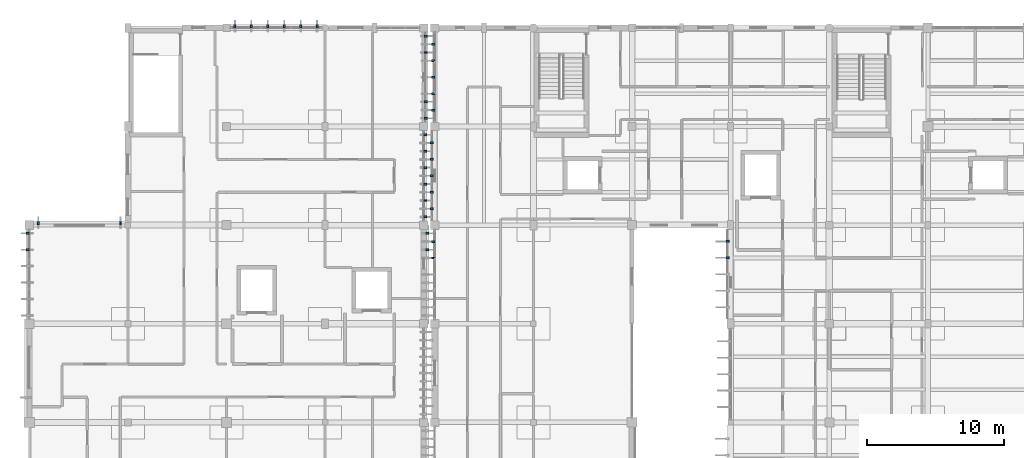
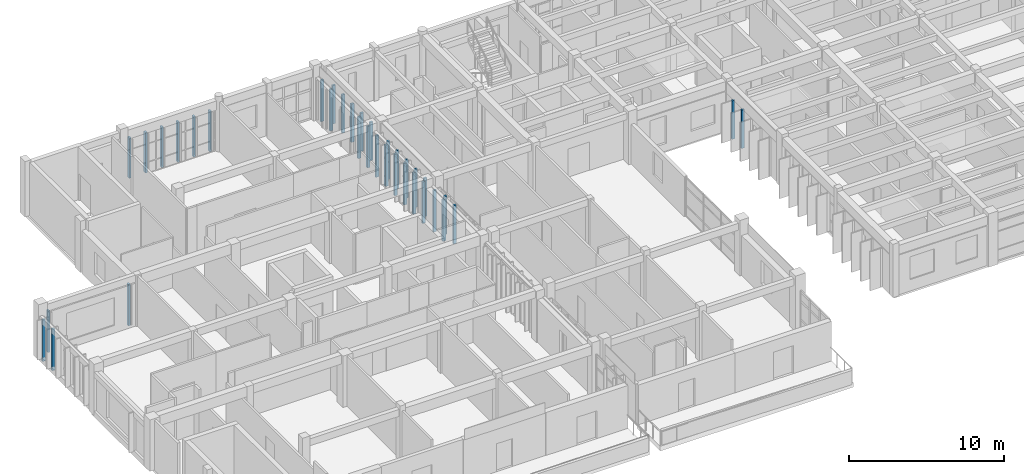
# One storey, part 47 of 55: 36 discrete accessories.
"""IFC4 building model written with IfcOpenShell, lengths in metres."""

from ifc_helpers import new_model, si_unit, direction, frame, origin, origin_2d, place, context, subcontext, project, spatial, rectangle, extrude, material, type_object, element, save


model = new_model("IFC4")

# Units and contexts
model_context = context("Model", 3, precision=1e-05, world=origin(), true_north=direction((0.0, 1.0)))
body_context = subcontext(model_context, "Body", "Model", "MODEL_VIEW")
ifc_project = project(units=[si_unit("LENGTHUNIT", "METRE"), si_unit("AREAUNIT", "SQUARE_METRE"), si_unit("VOLUMEUNIT", "CUBIC_METRE"), si_unit("PLANEANGLEUNIT", "RADIAN"), si_unit("MASSUNIT", "GRAM", prefix="KILO")], contexts=[model_context])

# Site, building, storey
site_placement = place(None, origin())
site = spatial("IfcSite", under=ifc_project, at=site_placement, CompositionType="ELEMENT")
building_placement = place(site_placement, origin())
building = spatial("IfcBuilding", under=site, at=building_placement, Name="Steenspoor Specialist Clinic", CompositionType="ELEMENT")
storey_placement = place(building_placement, frame((0.0, 0.0, 13.199951171875)))
storey = spatial("IfcBuildingStorey", under=building, at=storey_placement, Name="L03", CompositionType="ELEMENT", Elevation=13.199951171875)

# Discrete accessories
ifc_material = material(Name="Galvanised steel mounting bracket", Category="steel")
discrete_accessory_type = type_object("IfcDiscreteAccessoryType", Name="ACC-BRACKET-FIN", PredefinedType="BRACKET", material=ifc_material)
for number, where, z_axis, x_axis, name in (
    (1, (52.175048828125, 95.14990234375, 0.0498046875), (0.0, 0.0, 1.0), (-1.0, 0.0, 0.0), "Fin Mounting Bracket 81"),
    (2, (52.175048828125, 96.35009765625, 0.0498046875), (0.0, 0.0, 1.0), (-1.0, 0.0, 0.0), "Fin Mounting Bracket 82"),
    (3, (52.175048828125, 97.550048828125, 0.0498046875), (0.0, 0.0, 1.0), (-1.0, 0.0, 0.0), "Fin Mounting Bracket 83"),
    (4, (52.175048828125, 98.75, 0.0498046875), (0.0, 0.0, 1.0), (-1.0, 0.0, 0.0), "Fin Mounting Bracket 84"),
    (5, (52.175048828125, 99.949951171875, 0.0498046875), (0.0, 0.0, 1.0), (-1.0, 0.0, 0.0), "Fin Mounting Bracket 85"),
    (6, (52.2900390625, 102.35009765625, 0.0498046875), (0.0, 0.0, 1.0), (-1.0, 0.0, 0.0), "Fin Mounting Bracket 86"),
    (7, (52.2900390625, 103.550048828125, 0.0498046875), (0.0, 0.0, 1.0), (-1.0, 0.0, 0.0), "Fin Mounting Bracket 87"),
    (8, (52.2900390625, 104.75, 0.0498046875), (0.0, 0.0, 1.0), (-1.0, 0.0, 0.0), "Fin Mounting Bracket 88"),
    (9, (52.2900390625, 105.949951171875, 0.0498046875), (0.0, 0.0, 1.0), (-1.0, 0.0, 0.0), "Fin Mounting Bracket 89"),
    (10, (52.2900390625, 107.14990234375, 0.0498046875), (0.0, 0.0, 1.0), (-1.0, 0.0, 0.0), "Fin Mounting Bracket 90"),
    (11, (73.77490234375, 91.5625, 0.0498046875), (0.0, 0.0, 1.0), (-1.0, 0.0, 0.0), "Fin Mounting Bracket 121"),
    (12, (73.77490234375, 92.762451171875, 0.0498046875), (0.0, 0.0, 1.0), (-1.0, 0.0, 0.0), "Fin Mounting Bracket 122"),
    (13, (52.2900390625, 91.550048828125, 0.0498046875), (0.0, 0.0, 1.0), (-1.0, 0.0, 0.0), "Fin Mounting Bracket 138"),
    (14, (52.2900390625, 92.75, 0.0498046875), (0.0, 0.0, 1.0), (-1.0, 0.0, 0.0), "Fin Mounting Bracket 139"),
):
    element("IfcDiscreteAccessory", number, at=place(storey_placement, frame(where, z_axis=z_axis, x_axis=x_axis)), inside=storey, type_object=discrete_accessory_type, Name=name, PredefinedType="BRACKET", context=body_context, shape_type="SweptSolid", body=[
        extrude(rectangle(XDim=0.219970703125, YDim=0.139892578125, at=origin_2d()), origin(), (0.0, 0.0, 1.0), 3.030029296875),
    ])
for number, where, z_axis, x_axis, name in (
    (15, (22.68994140625, 92.16259765625, 0.050048828125), (0.0, 0.0, 1.0), (-1.0, 0.0, 0.0), "Timber Screen Bracket 187"),
    (16, (22.68994140625, 93.362548828125, 0.050048828125), (0.0, 0.0, 1.0), (-1.0, 0.0, 0.0), "Timber Screen Bracket 188"),
    (17, (23.46240234375, 94.10009765625, 0.050048828125), (0.0, 0.0, 1.0), (0.0, 1.0, 0.0), "Timber Screen Bracket 191"),
    (18, (29.46240234375, 94.10009765625, 0.050048828125), (0.0, 0.0, 1.0), (0.0, 1.0, 0.0), "Timber Screen Bracket 192"),
):
    element("IfcDiscreteAccessory", number, at=place(storey_placement, frame(where, z_axis=z_axis, x_axis=x_axis)), inside=storey, type_object=discrete_accessory_type, Name=name, PredefinedType="BRACKET", context=body_context, shape_type="SweptSolid", body=[
        extrude(rectangle(XDim=0.219970703125, YDim=0.139892578125, at=origin_2d()), origin(), (0.0, 0.0, 1.0), 3.27001953125),
    ])
for number, where, z_axis, x_axis, name in (
    (19, (37.8125, 108.4599609375, 0.050048828125), (0.0, 0.0, 1.0), (0.0, 1.0, 0.0), "Timber Screen Bracket 195"),
    (20, (39.012451171875, 108.4599609375, 0.050048828125), (0.0, 0.0, 1.0), (0.0, 1.0, 0.0), "Timber Screen Bracket 196"),
    (21, (40.21240234375, 108.4599609375, 0.050048828125), (0.0, 0.0, 1.0), (0.0, 1.0, 0.0), "Timber Screen Bracket 197"),
    (22, (41.41259765625, 108.4599609375, 0.050048828125), (0.0, 0.0, 1.0), (0.0, 1.0, 0.0), "Timber Screen Bracket 198"),
    (23, (42.612548828125, 108.4599609375, 0.050048828125), (0.0, 0.0, 1.0), (0.0, 1.0, 0.0), "Timber Screen Bracket 199"),
    (24, (43.8125, 108.4599609375, 0.050048828125), (0.0, 0.0, 1.0), (0.0, 1.0, 0.0), "Timber Screen Bracket 200"),
):
    element("IfcDiscreteAccessory", number, at=place(storey_placement, frame(where, z_axis=z_axis, x_axis=x_axis)), inside=storey, type_object=discrete_accessory_type, Name=name, PredefinedType="BRACKET", context=body_context, shape_type="SweptSolid", body=[
        extrude(rectangle(XDim=0.219970703125, YDim=0.139892578125, at=origin_2d()), origin(), (0.0, 0.0, 1.0), 3.18994140625),
    ])
for number, where, z_axis, x_axis, name in (
    (25, (51.75, 107.75, 0.050048828125), (0.0, 0.0, 1.0), (1.0, 0.0, 0.0), "Timber Screen Bracket 203"),
    (26, (51.75, 106.550048828125, 0.050048828125), (0.0, 0.0, 1.0), (1.0, 0.0, 0.0), "Timber Screen Bracket 204"),
    (27, (51.75, 102.949951171875, 0.050048828125), (0.0, 0.0, 1.0), (1.0, 0.0, 0.0), "Timber Screen Bracket 205"),
    (28, (51.75, 101.75, 0.050048828125), (0.0, 0.0, 1.0), (1.0, 0.0, 0.0), "Timber Screen Bracket 206"),
    (29, (51.7099609375, 100.550048828125, 0.050048828125), (0.0, 0.0, 1.0), (1.0, 0.0, 0.0), "Timber Screen Bracket 209"),
    (30, (51.7099609375, 99.35009765625, 0.050048828125), (0.0, 0.0, 1.0), (1.0, 0.0, 0.0), "Timber Screen Bracket 210"),
    (31, (51.7099609375, 98.14990234375, 0.050048828125), (0.0, 0.0, 1.0), (1.0, 0.0, 0.0), "Timber Screen Bracket 211"),
    (32, (51.7099609375, 96.949951171875, 0.050048828125), (0.0, 0.0, 1.0), (1.0, 0.0, 0.0), "Timber Screen Bracket 212"),
    (33, (51.7099609375, 95.75, 0.050048828125), (0.0, 0.0, 1.0), (1.0, 0.0, 0.0), "Timber Screen Bracket 213"),
    (34, (51.7099609375, 94.550048828125, 0.050048828125), (0.0, 0.0, 1.0), (1.0, 0.0, 0.0), "Timber Screen Bracket 214"),
    (35, (51.840087890625, 93.35009765625, 0.050048828125), (0.0, 0.0, 1.0), (1.0, 0.0, 0.0), "Timber Screen Bracket 217"),
    (36, (51.840087890625, 92.14990234375, 0.050048828125), (0.0, 0.0, 1.0), (1.0, 0.0, 0.0), "Timber Screen Bracket 218"),
):
    element("IfcDiscreteAccessory", number, at=place(storey_placement, frame(where, z_axis=z_axis, x_axis=x_axis)), inside=storey, type_object=discrete_accessory_type, Name=name, PredefinedType="BRACKET", context=body_context, shape_type="SweptSolid", body=[
        extrude(rectangle(XDim=0.219970703125, YDim=0.139892578125, at=origin_2d()), origin(), (0.0, 0.0, 1.0), 3.27001953125),
    ])

save(model, "model.ifc")
